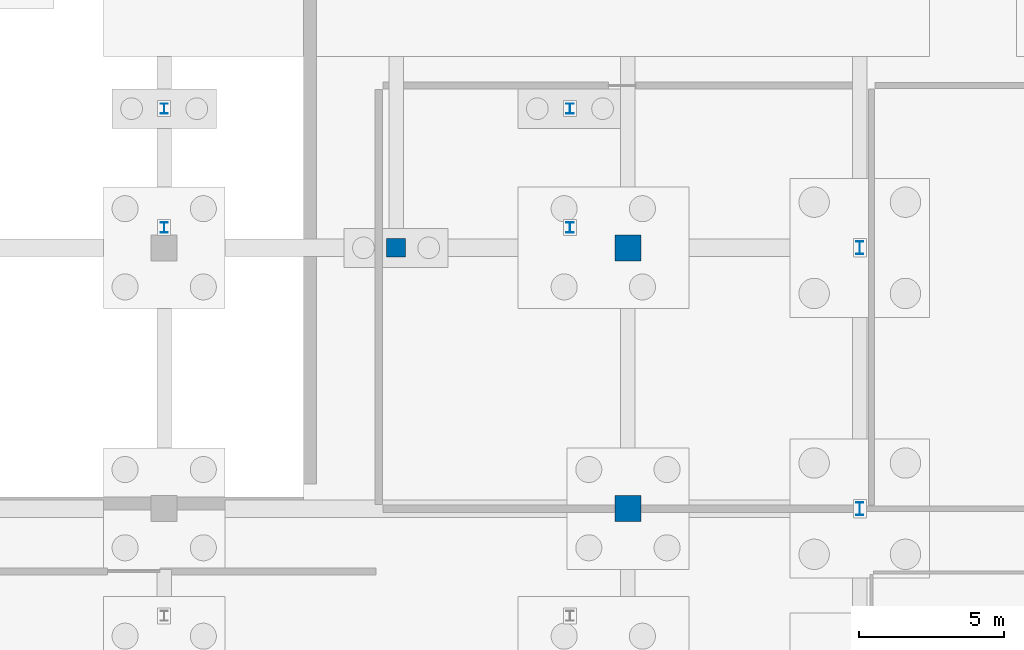
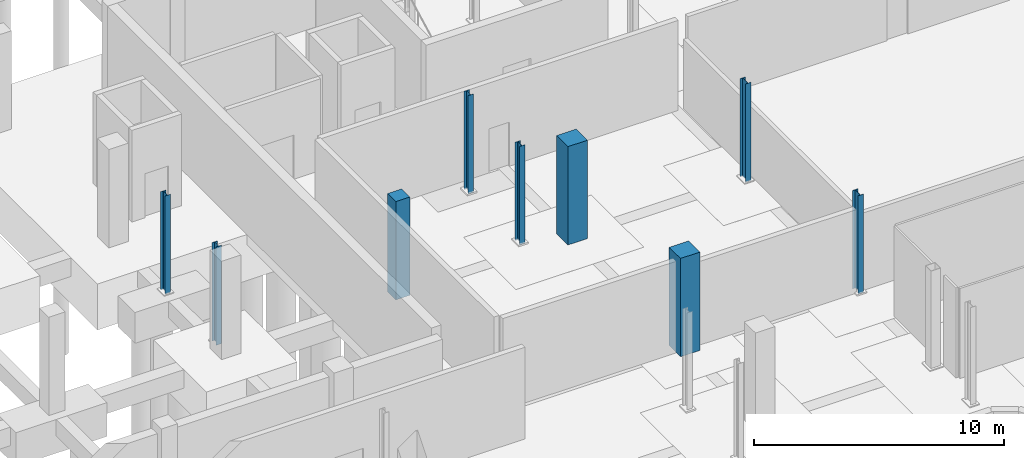
# One storey, part 11 of 32: 9 columns.
"""IFC4 building model written with IfcOpenShell, lengths in metres."""

from ifc_helpers import new_model, si_unit, derived_unit, direction, frame, origin, origin_2d, place, context, subcontext, project, spatial, rectangle, i_section, extrude, material, material_profile, profile_set, type_object, element, save


model = new_model("IFC4")

# Units and contexts
model_context = context("Model", 3, precision=1e-05, world=origin(), true_north=direction((0.0, 1.0)))
body_context = subcontext(model_context, "Body", "Model", "MODEL_VIEW")
ifc_project = project(units=[si_unit("LENGTHUNIT", "METRE"), si_unit("AREAUNIT", "SQUARE_METRE"), si_unit("VOLUMEUNIT", "CUBIC_METRE"), si_unit("PLANEANGLEUNIT", "RADIAN"), si_unit("MASSUNIT", "GRAM", prefix="KILO"), derived_unit("THERMALTRANSMITTANCEUNIT", [(si_unit("POWERUNIT", "WATT"), 1), (si_unit("LENGTHUNIT", "METRE"), -2), (si_unit("THERMODYNAMICTEMPERATUREUNIT", "KELVIN"), -1)])], contexts=[model_context])

# Site, building, storey
site_placement = place(None, origin())
site = spatial("IfcSite", under=ifc_project, at=site_placement, CompositionType="ELEMENT")
building_placement = place(site_placement, origin())
building = spatial("IfcBuilding", under=site, at=building_placement, Name="Nallur Shell Playhouse", CompositionType="ELEMENT")
storey_placement = place(building_placement, frame((0.0, 0.0, -4.800048828125)))
storey = spatial("IfcBuildingStorey", under=building, at=storey_placement, Name="B1", CompositionType="ELEMENT", Elevation=-4.800048828125)

# Columns
ifc_material_1 = material(Name="Concrete M35", Category="concrete")
ifc_material_profile_1 = material_profile(ifc_material_1, rectangle(XDim=0.64990234375, YDim=0.64990234375, at=origin_2d()), Name="RC 650x650")
ifc_profile_set_1 = profile_set([ifc_material_profile_1], Name="Concrete M35")
column_type_1 = type_object("IfcColumnType", Name="CL-RC-650", PredefinedType="COLUMN", material=ifc_profile_set_1)
column_placement = place(storey_placement, frame((48.0, 65.0, 0.0), z_axis=(0.0, 0.0, 1.0), x_axis=(1.0, 0.0, 0.0)))
element("IfcColumn", 1, at=column_placement, inside=storey, type_object=column_type_1, Name="Column 6-H (B1)", PredefinedType="COLUMN", context=body_context, shape_type="SweptSolid", body=[
    extrude(rectangle(XDim=0.64990234375, YDim=0.64990234375, at=origin_2d()), origin(), (0.0, 0.0, 1.0), 4.800048828125),
])
ifc_material_2 = material(Name="Concrete M40", Category="concrete")
ifc_material_profile_2 = material_profile(ifc_material_2, rectangle(XDim=0.89990234375, YDim=0.89990234375, at=origin_2d()), Name="RC 900x900")
ifc_profile_set_2 = profile_set([ifc_material_profile_2], Name="Concrete M40")
column_type_2 = type_object("IfcColumnType", Name="CL-RC-900", PredefinedType="COLUMN", material=ifc_profile_set_2)
for number, where, z_axis, x_axis, name in (
    (2, (56.0, 56.0, 0.0), (0.0, 0.0, 1.0), (1.0, 0.0, 0.0), "Column 7-G (B1)"),
    (3, (56.0, 65.0, 0.0), (0.0, 0.0, 1.0), (1.0, 0.0, 0.0), "Column 7-H (B1)"),
):
    element("IfcColumn", number, at=place(storey_placement, frame(where, z_axis=z_axis, x_axis=x_axis)), inside=storey, type_object=column_type_2, Name=name, PredefinedType="COLUMN", context=body_context, shape_type="SweptSolid", body=[
        extrude(rectangle(XDim=0.89990234375, YDim=0.89990234375, at=origin_2d()), origin(), (0.0, 0.0, 1.0), 4.800048828125),
    ])
ifc_material_3 = material(Name="Steel E350", Category="steel")
ifc_material_profile_3 = material_profile(ifc_material_3, i_section(OverallWidth=0.25, OverallDepth=0.35009765625, WebThickness=0.010009765625, FlangeThickness=0.01171875, FilletRadius=0.011962890625, at=origin_2d()), Name="ISHB 350")
ifc_profile_set_3 = profile_set([ifc_material_profile_3], Name="Steel E350")
column_type_3 = type_object("IfcColumnType", Name="CL-ST-ISHB350", PredefinedType="COLUMN", material=ifc_profile_set_3)
for number, where, z_axis, x_axis, name in (
    (4, (40.0, 65.699951171875, 0.0), (0.0, 0.0, 1.0), (1.0, 0.0, 0.0), "Column BRCOL-5 (B1)"),
    (5, (54.0, 65.699951171875, 0.0), (0.0, 0.0, 1.0), (1.0, 0.0, 0.0), "Column BRCOL-6 (B1)"),
    (6, (40.0, 69.800048828125, 0.0), (0.0, 0.0, 1.0), (1.0, 0.0, 0.0), "Column BRCOL-7 (B1)"),
    (7, (54.0, 69.800048828125, 0.0), (0.0, 0.0, 1.0), (1.0, 0.0, 0.0), "Column BRCOL-8 (B1)"),
):
    element("IfcColumn", number, at=place(storey_placement, frame(where, z_axis=z_axis, x_axis=x_axis)), inside=storey, type_object=column_type_3, Name=name, PredefinedType="COLUMN", context=body_context, shape_type="SweptSolid", body=[
        extrude(i_section(OverallWidth=0.25, OverallDepth=0.35009765625, WebThickness=0.010009765625, FlangeThickness=0.01171875, FilletRadius=0.011962890625, at=origin_2d()), origin(), (0.0, 0.0, 1.0), 4.800048828125),
    ])
ifc_material_profile_4 = material_profile(ifc_material_3, i_section(OverallWidth=0.25, OverallDepth=0.449951171875, WebThickness=0.01123046875, FlangeThickness=0.013671875, FilletRadius=0.014892578125, at=origin_2d()), Name="ISHB 450")
ifc_profile_set_4 = profile_set([ifc_material_profile_4], Name="Steel E350")
column_type_4 = type_object("IfcColumnType", Name="CL-ST-ISHB450", PredefinedType="COLUMN", material=ifc_profile_set_4)
for number, where, z_axis, x_axis, name in (
    (8, (64.0, 56.0, 0.0), (0.0, 0.0, 1.0), (1.0, 0.0, 0.0), "Column 8-G (B1)"),
    (9, (64.0, 65.0, 0.0), (0.0, 0.0, 1.0), (1.0, 0.0, 0.0), "Column 8-H (B1)"),
):
    element("IfcColumn", number, at=place(storey_placement, frame(where, z_axis=z_axis, x_axis=x_axis)), inside=storey, type_object=column_type_4, Name=name, PredefinedType="COLUMN", context=body_context, shape_type="SweptSolid", body=[
        extrude(i_section(OverallWidth=0.25, OverallDepth=0.449951171875, WebThickness=0.01123046875, FlangeThickness=0.013671875, FilletRadius=0.014892578125, at=origin_2d()), origin(), (0.0, 0.0, 1.0), 4.800048828125),
    ])

save(model, "model.ifc")
